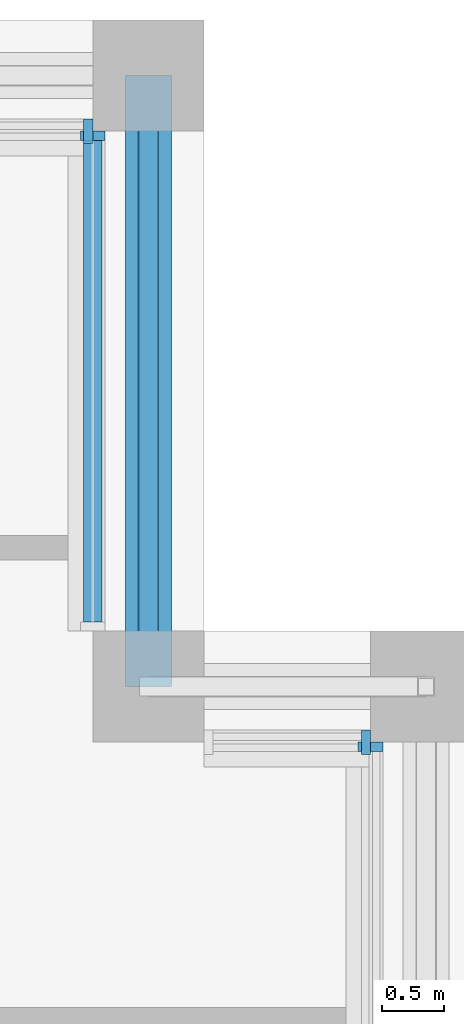
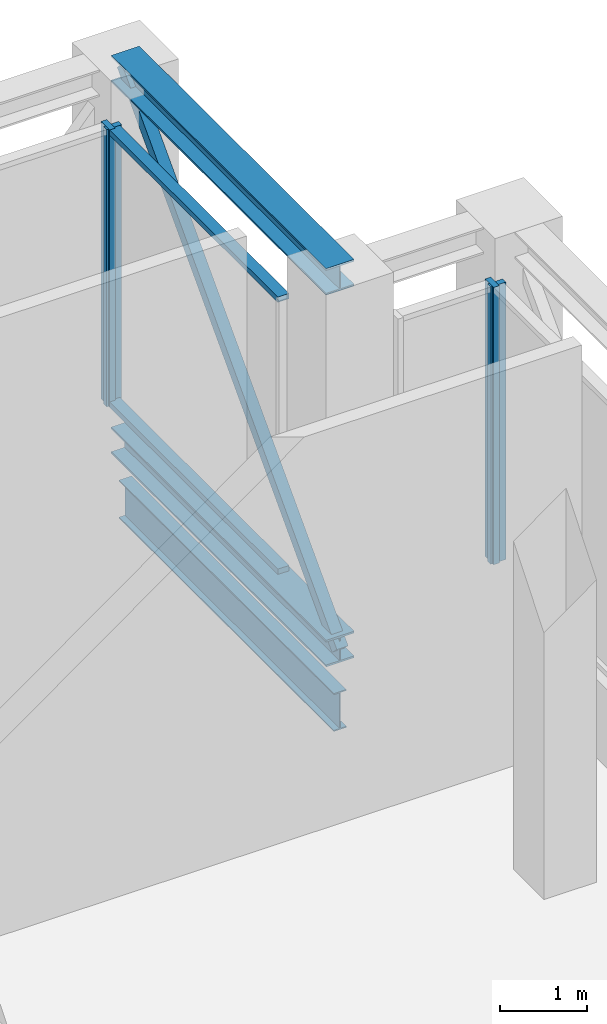
# One storey, part 9 of 17: 9 members, 1 beam, 4 elements without a shape of their own.
"""IFC4 building model written with IfcOpenShell, lengths in metres."""

from ifc_helpers import new_model, si_unit, direction, frame, origin, origin_2d, place, context, subcontext, project, spatial, rectangle, hollow_rectangle, i_section, extrude, material, layer, layer_set, material_profile, profile_set, type_object, element, aggregate, save


model = new_model("IFC4")

# Units and contexts
model_context = context("Model", 3, precision=1e-05, world=origin(), true_north=direction((0.0, 1.0)))
body_context = subcontext(model_context, "Body", "Model", "MODEL_VIEW")
ifc_project = project(units=[si_unit("LENGTHUNIT", "METRE"), si_unit("AREAUNIT", "SQUARE_METRE"), si_unit("VOLUMEUNIT", "CUBIC_METRE"), si_unit("PLANEANGLEUNIT", "RADIAN"), si_unit("MASSUNIT", "GRAM", prefix="KILO")], contexts=[model_context])

# Site, building, storey
site_placement = place(None, origin())
site = spatial("IfcSite", under=ifc_project, at=site_placement, CompositionType="ELEMENT")
building_placement = place(site_placement, origin())
building = spatial("IfcBuilding", under=site, at=building_placement, Name="Corbelhall Arena Tower", CompositionType="ELEMENT")
storey_placement = place(building_placement, frame((0.0, 0.0, 350.0)))
storey = spatial("IfcBuildingStorey", under=building, at=storey_placement, Name="L77", CompositionType="ELEMENT", Elevation=350.0)

# Curtain wall, member
ifc_material_1 = material(Name="Aluminium black anodised", Category="aluminium")
ifc_layer = layer(ifc_material_1, 0.199951171875)
ifc_layer_set = layer_set([ifc_layer], Name="EV-CW5 Sky band glazing")
curtain_wall_type = type_object("IfcCurtainWallType", Name="EV-CW5 Sky band glazing", PredefinedType="NOTDEFINED", material=ifc_layer_set)
curtain_wall_1_placement = place(storey_placement, origin())
curtain_wall_1 = element("IfcCurtainWall", 1, at=curtain_wall_1_placement, inside=storey, type_object=curtain_wall_type, Name="Curtain wall CW5", PredefinedType="NOTDEFINED")
ifc_material_profile_1 = material_profile(ifc_material_1, rectangle(XDim=0.199951171875, YDim=0.074951171875, at=origin_2d()))
ifc_profile_set_1 = profile_set([ifc_material_profile_1], Name="Aluminium black anodised")
member_type_1 = type_object("IfcMemberType", Name="EV-CW5-MULLION", PredefinedType="MULLION", material=ifc_profile_set_1)
member_1_placement = place(storey_placement, frame((24.300048828125, 22.46240234375, 1.10009765625), z_axis=(0.0, 0.0, 1.0), x_axis=(-1.0, 0.0, 0.0)))
member_1 = element("IfcMember", 2, at=member_1_placement, type_object=member_type_1, Name="CW5 mullion 2", PredefinedType="MULLION", context=body_context, shape_type="SweptSolid", body=[
    extrude(rectangle(XDim=0.199951171875, YDim=0.074951171875, at=origin_2d()), origin(), (0.0, 0.0, 1.0), 3.8994140625),
])
aggregate(curtain_wall_1, [member_1])

curtain_wall_2_placement = place(storey_placement, origin())
curtain_wall_2 = element("IfcCurtainWall", 3, at=curtain_wall_2_placement, inside=storey, type_object=curtain_wall_type, Name="Curtain wall CW5B", PredefinedType="NOTDEFINED")
member_2_placement = place(storey_placement, frame((24.262451171875, 22.5, 1.10009765625), z_axis=(0.0, 0.0, 1.0), x_axis=(0.0, -1.0, 0.0)))
member_2 = element("IfcMember", 4, at=member_2_placement, type_object=member_type_1, Name="CW5B mullion 1", PredefinedType="MULLION", context=body_context, shape_type="SweptSolid", body=[
    extrude(rectangle(XDim=0.199951171875, YDim=0.074951171875, at=origin_2d()), origin(), (0.0, 0.0, 1.0), 3.8994140625),
])
aggregate(curtain_wall_2, [member_2])

curtain_wall_3_placement = place(storey_placement, origin())
curtain_wall_3 = element("IfcCurtainWall", 5, at=curtain_wall_3_placement, inside=storey, type_object=curtain_wall_type, Name="Curtain wall CW5", PredefinedType="NOTDEFINED")
member_3_placement = place(storey_placement, frame((22.050048828125, 27.41259765625, 1.10009765625), z_axis=(0.0, 0.0, 1.0), x_axis=(-1.0, 0.0, 0.0)))
member_3 = element("IfcMember", 6, at=member_3_placement, type_object=member_type_1, Name="CW5 mullion 2", PredefinedType="MULLION", context=body_context, shape_type="SweptSolid", body=[
    extrude(rectangle(XDim=0.199951171875, YDim=0.074951171875, at=origin_2d()), origin(), (0.0, 0.0, 1.0), 3.8994140625),
])

curtain_wall_4_placement = place(storey_placement, origin())
curtain_wall_4 = element("IfcCurtainWall", 7, at=curtain_wall_4_placement, inside=storey, type_object=curtain_wall_type, Name="Curtain wall CW5A", PredefinedType="NOTDEFINED")
member_4_placement = place(storey_placement, frame((22.012451171875, 27.449951171875, 1.10009765625), z_axis=(0.0, 0.0, 1.0), x_axis=(0.0, -1.0, 0.0)))
member_4 = element("IfcMember", 8, at=member_4_placement, type_object=member_type_1, Name="CW5A mullion 1", PredefinedType="MULLION", context=body_context, shape_type="SweptSolid", body=[
    extrude(rectangle(XDim=0.199951171875, YDim=0.074951171875, at=origin_2d()), origin(), (0.0, 0.0, 1.0), 3.8994140625),
])
aggregate(curtain_wall_4, [member_4])

# Member
ifc_material_profile_2 = material_profile(ifc_material_1, rectangle(XDim=0.14990234375, YDim=0.074951171875, at=origin_2d()))
ifc_profile_set_2 = profile_set([ifc_material_profile_2], Name="Aluminium black anodised")
member_type_2 = type_object("IfcMemberType", Name="EV-CW5-TRANSOM", PredefinedType="USERDEFINED", material=ifc_profile_set_2)
member_5_placement = place(storey_placement, frame((22.050048828125, 23.47509765625, 1.137451171875), z_axis=(0.0, 1.0, 0.0), x_axis=(-1.0, 0.0, 0.0)))
member_5 = element("IfcMember", 9, at=member_5_placement, type_object=member_type_2, Name="CW5 transom 1.1", ObjectType="transom", PredefinedType="USERDEFINED", context=body_context, shape_type="SweptSolid", body=[
    extrude(rectangle(XDim=0.14990234375, YDim=0.074951171875, at=origin_2d()), origin(), (0.0, 0.0, 1.0), 3.89990234375),
])

member_6_placement = place(storey_placement, frame((22.050048828125, 23.47509765625, 4.962158203125), z_axis=(0.0, 1.0, 0.0), x_axis=(-1.0, 0.0, 0.0)))
member_6 = element("IfcMember", 10, at=member_6_placement, type_object=member_type_2, Name="CW5 transom 1.2", ObjectType="transom", PredefinedType="USERDEFINED", context=body_context, shape_type="SweptSolid", body=[
    extrude(rectangle(XDim=0.14990234375, YDim=0.074951171875, at=origin_2d()), origin(), (0.0, 0.0, 1.0), 3.89990234375),
])

aggregate(curtain_wall_3, [member_3, member_5, member_6])

# Members
ifc_material_2 = material(Name="Steel ASTM A992 Gr50", Category="steel")
ifc_material_profile_3 = material_profile(ifc_material_2, i_section(OverallWidth=0.373291015625, OverallDepth=0.373291015625, WebThickness=0.016357421875, FlangeThickness=0.026123046875, at=origin_2d()))
ifc_profile_set_3 = profile_set([ifc_material_profile_3], Name="Steel ASTM A992 Gr50")
member_type_3 = type_object("IfcMemberType", Name="ST-CHORD-W14x132", PredefinedType="CHORD", material=ifc_profile_set_3)
for number, where, z_axis, x_axis, name in (
    (11, (22.5, 27.89990234375, 0.186767578125), (0.0, -1.0, 0.0), (1.0, 0.0, 0.0), "Truss chord BC 10"),
    (12, (22.5, 27.89990234375, 5.412841796875), (0.0, -1.0, 0.0), (1.0, 0.0, 0.0), "Truss chord TC 10"),
):
    element("IfcMember", number, at=place(storey_placement, frame(where, z_axis=z_axis, x_axis=x_axis)), inside=storey, type_object=member_type_3, Name=name, PredefinedType="CHORD", context=body_context, shape_type="SweptSolid", body=[
        extrude(i_section(OverallWidth=0.373291015625, OverallDepth=0.373291015625, WebThickness=0.016357421875, FlangeThickness=0.026123046875, at=origin_2d()), origin(), (0.0, 0.0, 1.0), 4.949951171875),
    ])

# Beam
ifc_material_profile_4 = material_profile(ifc_material_2, i_section(OverallWidth=0.16650390625, OverallDepth=0.535888671875, WebThickness=0.01025390625, FlangeThickness=0.0166015625, at=origin_2d()))
ifc_profile_set_4 = profile_set([ifc_material_profile_4], Name="Steel ASTM A992 Gr50")
beam_type = type_object("IfcBeamType", Name="ST-SPANDREL-W21x57", PredefinedType="SPANDREL", material=ifc_profile_set_4)
beam_placement = place(storey_placement, frame((22.5, 27.89990234375, -0.677978515625), z_axis=(0.0, -1.0, 0.0), x_axis=(1.0, 0.0, 0.0)))
element("IfcBeam", 13, at=beam_placement, inside=storey, type_object=beam_type, Name="Beam SP 10", PredefinedType="SPANDREL", context=body_context, shape_type="SweptSolid", body=[
    extrude(i_section(OverallWidth=0.16650390625, OverallDepth=0.535888671875, WebThickness=0.01025390625, FlangeThickness=0.0166015625, at=origin_2d()), origin(), (0.0, 0.0, 1.0), 4.949951171875),
])

# Member
ifc_material_3 = material(Name="Steel ASTM A500 Gr C", Category="steel")
ifc_material_profile_5 = material_profile(ifc_material_3, hollow_rectangle(XDim=0.15234375, YDim=0.15234375, WallThickness=0.0087890625, at=origin_2d()))
ifc_profile_set_5 = profile_set([ifc_material_profile_5], Name="Steel ASTM A500 Gr C")
member_type_4 = type_object("IfcMemberType", Name="ST-STRUT-HSS6x6x3/8", PredefinedType="STRUT", material=ifc_profile_set_5)
member_7_placement = place(storey_placement, frame((22.5, 22.949951171875, 0.186767578125), z_axis=(0.0, 0.687666560631, 0.72602665336), x_axis=(-1.0, 0.0, 0.0)))
element("IfcMember", 14, at=member_7_placement, inside=storey, type_object=member_type_4, Name="Truss diagonal 10", PredefinedType="STRUT", context=body_context, shape_type="SweptSolid", body=[
    extrude(hollow_rectangle(XDim=0.15234375, YDim=0.15234375, WallThickness=0.0087890625, at=origin_2d()), origin(), (0.0, 0.0, 1.0), 7.1982421875),
])

save(model, "model.ifc")
